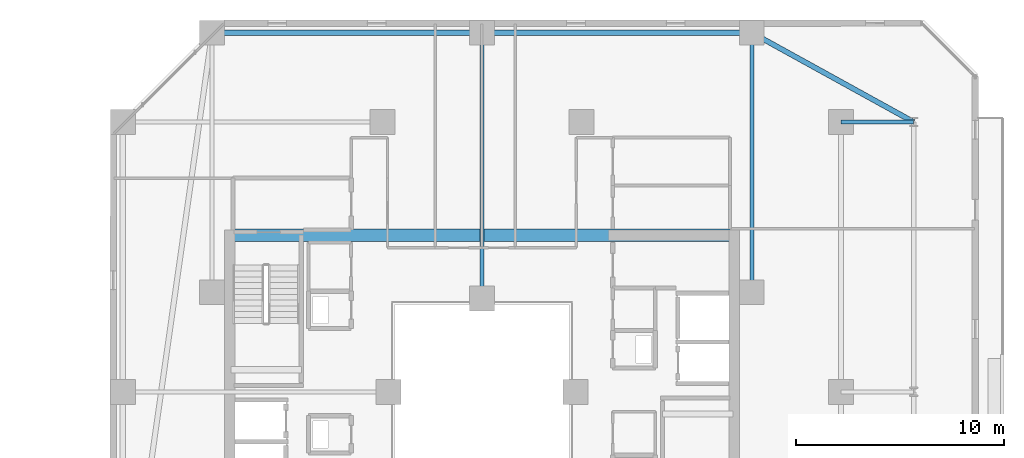
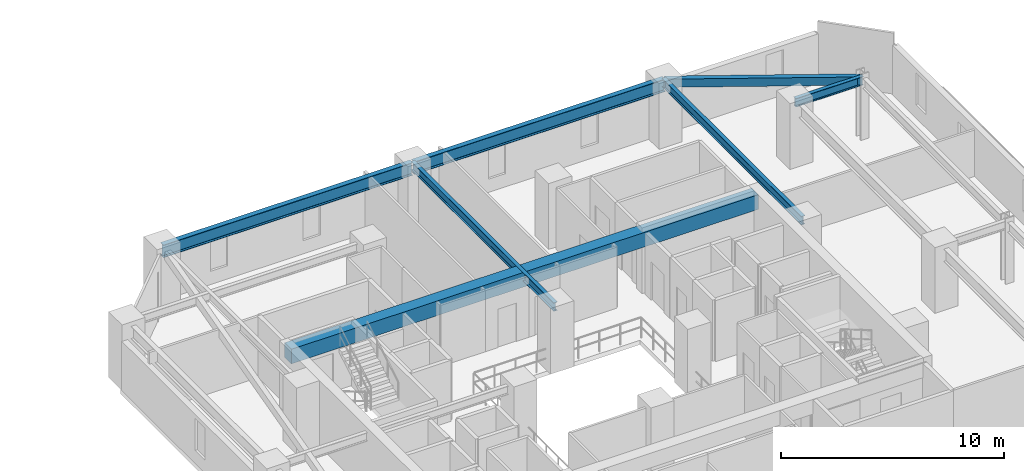
# One storey, part 15 of 33: 7 beams.
"""IFC4 building model written with IfcOpenShell, lengths in metres."""

from ifc_helpers import new_model, si_unit, direction, frame, origin, origin_2d, place, context, subcontext, project, spatial, rectangle, hollow_rectangle, i_section, extrude, material, material_profile, profile_set, type_object, element, save


model = new_model("IFC4")

# Units and contexts
model_context = context("Model", 3, precision=1e-05, world=origin(), true_north=direction((0.0, 1.0)))
body_context = subcontext(model_context, "Body", "Model", "MODEL_VIEW")
ifc_project = project(units=[si_unit("LENGTHUNIT", "METRE"), si_unit("AREAUNIT", "SQUARE_METRE"), si_unit("VOLUMEUNIT", "CUBIC_METRE"), si_unit("PLANEANGLEUNIT", "RADIAN"), si_unit("MASSUNIT", "GRAM", prefix="KILO")], contexts=[model_context])

# Site, building, storey
site_placement = place(None, origin())
site = spatial("IfcSite", under=ifc_project, at=site_placement, CompositionType="ELEMENT")
building_placement = place(site_placement, origin())
building = spatial("IfcBuilding", under=site, at=building_placement, Name="Thornwick Lancets Civic Towers", CompositionType="ELEMENT")
storey_placement = place(building_placement, frame((0.0, 0.0, 130.5)))
storey = spatial("IfcBuildingStorey", under=building, at=storey_placement, Name="L34", CompositionType="ELEMENT", Elevation=130.5)

# Beams
ifc_material_1 = material(Name="Concrete C60/75", Category="concrete")
ifc_material_profile_1 = material_profile(ifc_material_1, rectangle(XDim=0.60009765625, YDim=0.800048828125, at=origin_2d()), Name="RC 600x800")
ifc_profile_set_1 = profile_set([ifc_material_profile_1], Name="Concrete C60/75")
beam_type_1 = type_object("IfcBeamType", Name="BM_COUP_RC800", PredefinedType="BEAM", material=ifc_profile_set_1)
beam_1_placement = place(storey_placement, frame((76.39990234375, 34.550048828125, 2.9599609375), z_axis=(1.0, 0.0, 0.0), x_axis=(0.0, 1.0, 0.0)))
element("IfcBeam", 1, at=beam_1_placement, inside=storey, type_object=beam_type_1, Name="CB-L34-B1", PredefinedType="BEAM", context=body_context, shape_type="SweptSolid", body=[
    extrude(rectangle(XDim=0.60009765625, YDim=0.800048828125, at=origin_2d()), origin(), (0.0, 0.0, 1.0), 24.2001953125),
])
ifc_material_2 = material(Name="Steel S355JR", Category="steel")
ifc_material_profile_2 = material_profile(ifc_material_2, i_section(OverallWidth=0.255859375, OverallDepth=0.69287109375, WebThickness=0.014404296875, FlangeThickness=0.023681640625, FilletRadius=0.01513671875, at=origin_2d()), Name="UKB 686x254x170")
ifc_profile_set_2 = profile_set([ifc_material_profile_2], Name="Steel S355JR")
beam_type_2 = type_object("IfcBeamType", Name="BM_GIRD_686_170", PredefinedType="BEAM", material=ifc_profile_set_2)
beam_2_placement = place(storey_placement, frame((101.5, 44.300048828125, 3.013671875), z_axis=(-1.0, 0.0, 0.0), x_axis=(0.0, -1.0, 0.0)))
element("IfcBeam", 2, at=beam_2_placement, inside=storey, type_object=beam_type_2, Name="BM-SPINE-L34-B-3-4", PredefinedType="BEAM", context=body_context, shape_type="SweptSolid", body=[
    extrude(i_section(OverallWidth=0.255859375, OverallDepth=0.69287109375, WebThickness=0.014404296875, FlangeThickness=0.023681640625, FilletRadius=0.01513671875, at=origin_2d()), origin(), (0.0, 0.0, 1.0), 13.0),
])
beam_3_placement = place(storey_placement, frame((88.419921875, 44.300048828125, 3.013671875), z_axis=(-1.0, 0.0, 0.0), x_axis=(0.0, -1.0, 0.0)))
element("IfcBeam", 3, at=beam_3_placement, inside=storey, type_object=beam_type_2, Name="BM-SPINE-L34-B-4-5", PredefinedType="BEAM", context=body_context, shape_type="SweptSolid", body=[
    extrude(i_section(OverallWidth=0.255859375, OverallDepth=0.69287109375, WebThickness=0.014404296875, FlangeThickness=0.023681640625, FilletRadius=0.01513671875, at=origin_2d()), origin(), (0.0, 0.0, 1.0), 12.919921875),
])
ifc_material_profile_3 = material_profile(ifc_material_2, i_section(OverallWidth=0.19287109375, OverallDepth=0.46728515625, WebThickness=0.011474609375, FlangeThickness=0.01953125, FilletRadius=0.01025390625, at=origin_2d()), Name="UKB 457x191x98")
ifc_profile_set_3 = profile_set([ifc_material_profile_3], Name="Steel S355JR")
beam_type_3 = type_object("IfcBeamType", Name="BM_JOIST_457_98", PredefinedType="JOIST", material=ifc_profile_set_3)
beam_4_placement = place(storey_placement, frame((105.800048828125, 40.0, 3.12646484375), z_axis=(1.0, 0.0, 0.0), x_axis=(0.0, 1.0, 0.0)))
element("IfcBeam", 4, at=beam_4_placement, inside=storey, type_object=beam_type_3, Name="BM-RAD-L34-B03", PredefinedType="JOIST", context=body_context, shape_type="SweptSolid", body=[
    extrude(i_section(OverallWidth=0.19287109375, OverallDepth=0.46728515625, WebThickness=0.011474609375, FlangeThickness=0.01953125, FilletRadius=0.01025390625, at=origin_2d()), origin(), (0.0, 0.0, 1.0), 3.5),
])
beam_5_placement = place(storey_placement, frame((101.5, 31.800048828125, 3.12646484375), z_axis=(0.0, 1.0, 0.0), x_axis=(-1.0, 0.0, 0.0)))
element("IfcBeam", 5, at=beam_5_placement, inside=storey, type_object=beam_type_3, Name="BM-RADIN-L34-B04", PredefinedType="JOIST", context=body_context, shape_type="SweptSolid", body=[
    extrude(i_section(OverallWidth=0.19287109375, OverallDepth=0.46728515625, WebThickness=0.011474609375, FlangeThickness=0.01953125, FilletRadius=0.01025390625, at=origin_2d()), origin(), (0.0, 0.0, 1.0), 12.5),
])
beam_6_placement = place(storey_placement, frame((88.5, 31.5, 3.12646484375), z_axis=(0.0, 1.0, 0.0), x_axis=(-1.0, 0.0, 0.0)))
element("IfcBeam", 6, at=beam_6_placement, inside=storey, type_object=beam_type_3, Name="BM-RADIN-L34-B05", PredefinedType="JOIST", context=body_context, shape_type="SweptSolid", body=[
    extrude(i_section(OverallWidth=0.19287109375, OverallDepth=0.46728515625, WebThickness=0.011474609375, FlangeThickness=0.01953125, FilletRadius=0.01025390625, at=origin_2d()), origin(), (0.0, 0.0, 1.0), 12.800048828125),
])
ifc_material_profile_4 = material_profile(ifc_material_2, hollow_rectangle(XDim=0.25, YDim=0.449951171875, WallThickness=0.01611328125, at=origin_2d()), Name="RHS 450x250x16")
ifc_profile_set_4 = profile_set([ifc_material_profile_4], Name="Steel S355JR")
beam_type_4 = type_object("IfcBeamType", Name="BM_RING_RHS450", PredefinedType="BEAM", material=ifc_profile_set_4)
beam_7_placement = place(storey_placement, frame((109.300048828125, 40.0, 3.135009765625), z_axis=(-0.875740348708, 0.482782395749, 0.0), x_axis=(-0.482782395749, -0.875740348708, 0.0)))
element("IfcBeam", 7, at=beam_7_placement, inside=storey, type_object=beam_type_4, Name="BM-CHAMF-L34-B-C0", PredefinedType="BEAM", context=body_context, shape_type="SweptSolid", body=[
    extrude(hollow_rectangle(XDim=0.25, YDim=0.449951171875, WallThickness=0.01611328125, at=origin_2d()), origin(), (0.0, 0.0, 1.0), 8.90673828125),
])

save(model, "model.ifc")
